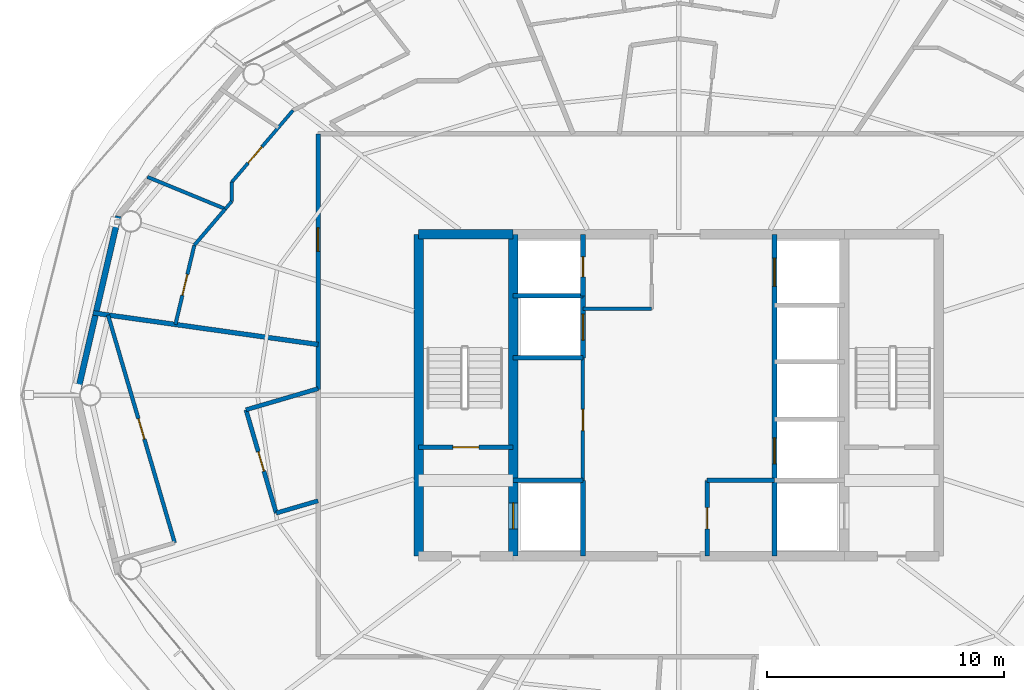
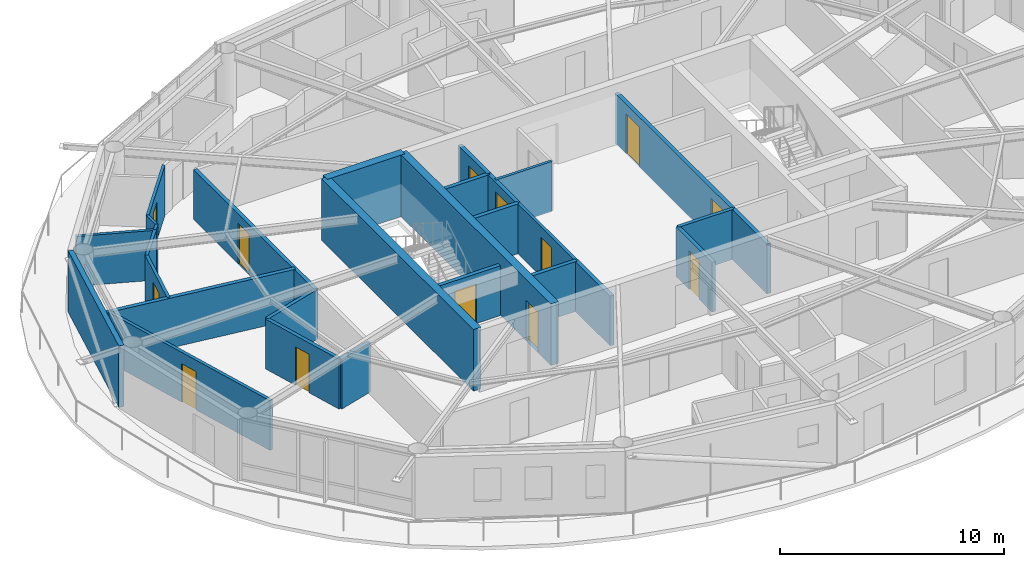
# One storey, part 16 of 23: 29 walls, 13 doors, 13 openings.
"""IFC4 building model written with IfcOpenShell, lengths in metres."""

import ifcopenshell
import ifcopenshell.guid

model = None  # the IFC model being written
_history = None  # IfcOwnerHistory: only IFC2X3 demands one
_inside = {}  # id of a spatial element -> (the spatial element, [elements in it])
_under = {}  # id of a project, library or spatial element -> (it, [spatial elements below it])
_declared = {}  # id of a project -> (the project, [libraries it declares])
_typed = {}  # id of a type object -> (the type object, [elements of that type])
_made_of = {}  # id of a material, layer set ... -> (it, [elements and type objects made of it])


def new_model(schema):
    """Start an empty IFC model of exactly this schema.

    Asked for "IFC4X3", IfcOpenShell would pick the latest addendum, in which some entities
    have other attributes; the version numbers below select the first issue.
    IFC2X3 requires an IfcOwnerHistory on every rooted entity: one is made here for all.
    """
    global model, _history
    if schema == "IFC4X3":
        model = ifcopenshell.file(schema_version=(4, 3, 0, 0))
    else:
        model = ifcopenshell.file(schema=schema)
    _inside.clear()
    _under.clear()
    _declared.clear()
    _typed.clear()
    _made_of.clear()
    _history = None
    if model.schema == "IFC2X3":
        org = make("IfcOrganization", Name="unknown")
        user = make(
            "IfcPersonAndOrganization",
            ThePerson=make("IfcPerson", FamilyName="unknown"),
            TheOrganization=org,
        )
        app = make(
            "IfcApplication",
            ApplicationDeveloper=org,
            Version="unknown",
            ApplicationFullName="unknown",
            ApplicationIdentifier="unknown",
        )
        _history = make(
            "IfcOwnerHistory",
            OwningUser=user,
            OwningApplication=app,
            ChangeAction="ADDED",
            CreationDate=0,
        )
    return model


def make(cls, **values):
    """One entity of the class cls with the attributes given. An attribute that is None is left unset."""
    return model.create_entity(
        cls, **{name: value for name, value in values.items() if value is not None}
    )


def rooted(cls, **values):
    """An entity with a GlobalId (a new one), such as an element, a storey or a relation."""
    return make(cls, GlobalId=ifcopenshell.guid.new(), OwnerHistory=_history, **values)


def si_unit(unit_type, name, prefix=None):
    """IfcSIUnit, for example si_unit("LENGTHUNIT", "METRE", prefix="MILLI")."""
    return make("IfcSIUnit", UnitType=unit_type, Prefix=prefix, Name=name)


def assignment(units):
    """IfcUnitAssignment: the units of a project."""
    return None if units is None else make("IfcUnitAssignment", Units=units)


def point(xyz):
    """IfcCartesianPoint."""
    return None if xyz is None else make("IfcCartesianPoint", Coordinates=xyz)


def direction(xyz):
    """IfcDirection."""
    return None if xyz is None else make("IfcDirection", DirectionRatios=xyz)


def frame(location, z_axis=None, x_axis=None):
    """IfcAxis2Placement3D, a coordinate frame: its origin and axes. An axis left out is left unset."""
    return make(
        "IfcAxis2Placement3D",
        Location=point(location),
        Axis=direction(z_axis),
        RefDirection=direction(x_axis),
    )


def frame_2d(location, x_axis=None):
    """IfcAxis2Placement2D, a coordinate frame in the plane: its origin and x axis."""
    return make(
        "IfcAxis2Placement2D", Location=point(location), RefDirection=direction(x_axis)
    )


def origin():
    """The frame at (0, 0, 0) with its axes left unset."""
    return frame((0.0, 0.0, 0.0))


def place(relative_to, where):
    """IfcLocalPlacement: puts the frame where relative to a parent placement (None: the world)."""
    return make(
        "IfcLocalPlacement", PlacementRelTo=relative_to, RelativePlacement=where
    )


def context(
    kind, dimensions, precision=None, world=None, true_north=None, identifier=None
):
    """IfcGeometricRepresentationContext, for example the 3D "Model" context."""
    return make(
        "IfcGeometricRepresentationContext",
        ContextIdentifier=identifier,
        ContextType=kind,
        CoordinateSpaceDimension=dimensions,
        Precision=precision,
        WorldCoordinateSystem=world,
        TrueNorth=true_north,
    )


def subcontext(parent, identifier, kind, view, scale=None):
    """IfcGeometricRepresentationSubContext, for example "Body" below "Model"."""
    return make(
        "IfcGeometricRepresentationSubContext",
        ContextIdentifier=identifier,
        ContextType=kind,
        ParentContext=parent,
        TargetScale=scale,
        TargetView=view,
    )


def project(units=None, contexts=None):
    """IfcProject with its units and contexts."""
    return rooted(
        "IfcProject",
        Name="project",
        RepresentationContexts=contexts,
        UnitsInContext=assignment(units),
    )


def spatial(cls, under=None, at=None, **own):
    """A site, building, storey or space (cls), placed at a placement, below another one or the project."""
    s = rooted(cls, ObjectPlacement=at, **own)
    if under is not None:
        _under.setdefault(under.id(), (under, []))[1].append(s)
    return s


def profile(cls, at=None, kind="AREA", **sizes):
    """A parametric profile (cls). Its sizes go by their IFC names, for example OverallWidth=200.0."""
    return make(cls, ProfileType=kind, Position=at, **sizes)


def rectangle(**sizes):
    """IfcRectangleProfileDef."""
    return profile("IfcRectangleProfileDef", **sizes)


def extrude(swept, where, along, depth):
    """IfcExtrudedAreaSolid: the profile swept, set in the frame where, extruded along a direction by depth."""
    return make(
        "IfcExtrudedAreaSolid",
        SweptArea=swept,
        Position=where,
        ExtrudedDirection=direction(along),
        Depth=depth,
    )


def shape(context_of_items, identifier, shape_type, items):
    """IfcShapeRepresentation: the items that make up one representation, for example the "Body"."""
    return make(
        "IfcShapeRepresentation",
        ContextOfItems=context_of_items,
        RepresentationIdentifier=identifier,
        RepresentationType=shape_type,
        Items=items,
    )


def material(Name=None, Category=None):
    """IfcMaterial."""
    return make("IfcMaterial", Name=Name, Category=Category)


def layer(
    of_material, thickness, ventilated=None, Name=None, Category=None, Priority=None
):
    """IfcMaterialLayer: one layer of a wall or slab, of a material (None: an air gap)."""
    return make(
        "IfcMaterialLayer",
        Material=of_material,
        LayerThickness=thickness,
        IsVentilated=ventilated,
        Name=Name,
        Category=Category,
        Priority=Priority,
    )


def layer_set(layers, Name=None):
    """IfcMaterialLayerSet."""
    return make("IfcMaterialLayerSet", MaterialLayers=layers, LayerSetName=Name)


def made_of(thing, what):
    """Note that an element or type object is made of a material, layer set ...; save() writes the relation."""
    if what is not None:
        _made_of.setdefault(what.id(), (what, []))[1].append(thing)
    return thing


def type_object(cls, material=None, **own):
    """A type object (cls), such as IfcWallType, which elements share."""
    return made_of(rooted(cls, **own), material)


def element(
    cls,
    number,
    at=None,
    inside=None,
    cuts=None,
    type_object=None,
    material=None,
    context=None,
    identifier="Body",
    shape_type=None,
    held_by="IfcProductDefinitionShape",
    body=None,
    shapes=None,
    **own,
):
    """One element of the class cls, such as IfcWall. Its Tag is "e" and its number.

    at: its placement. inside: the storey or other place that contains it. cuts: it is an
    opening in that element (IfcRelVoidsElement). A single representation is given by context,
    identifier, shape_type and body (its items); several are given by shapes. held_by: the class
    of the entity that holds the representations. save() writes the other relations.
    """
    e = rooted(cls, Tag="e%d" % number, ObjectPlacement=at, **own)
    if body is not None:
        shapes = [shape(context, identifier, shape_type, body)]
    if shapes is not None:
        e.Representation = make(held_by, Representations=shapes)
    if inside is not None:
        _inside.setdefault(inside.id(), (inside, []))[1].append(e)
    if cuts is not None:
        rooted(
            "IfcRelVoidsElement", RelatingBuildingElement=cuts, RelatedOpeningElement=e
        )
    if type_object is not None:
        _typed.setdefault(type_object.id(), (type_object, []))[1].append(e)
    return made_of(e, material)


def fill(opening, filler):
    """IfcRelFillsElement: the door or window that sits in an opening."""
    return rooted(
        "IfcRelFillsElement",
        RelatingOpeningElement=opening,
        RelatedBuildingElement=filler,
    )


def aggregate(whole, parts):
    """IfcRelAggregates: a whole, such as a stair, and the parts it consists of."""
    return rooted("IfcRelAggregates", RelatingObject=whole, RelatedObjects=parts)


def save(model, path):
    """Write the relations noted so far, then the file.

    IfcRelAggregates (storeys below a building ...), IfcRelContainedInSpatialStructure (elements
    in a storey), IfcRelDefinesByType, IfcRelAssociatesMaterial and IfcRelDeclares: one each for
    every whole, place, type object, material and project.
    """
    for whole, parts in _under.values():
        aggregate(whole, parts)
    for where, things in _inside.values():
        rooted(
            "IfcRelContainedInSpatialStructure",
            RelatedElements=things,
            RelatingStructure=where,
        )
    for kind, things in _typed.values():
        rooted("IfcRelDefinesByType", RelatedObjects=things, RelatingType=kind)
    for what, things in _made_of.values():
        rooted("IfcRelAssociatesMaterial", RelatedObjects=things, RelatingMaterial=what)
    for by, libraries in _declared.values():
        rooted("IfcRelDeclares", RelatingContext=by, RelatedDefinitions=libraries)
    model.write(path)


model = new_model("IFC4")

# Units and contexts
model_context = context("Model", 3, precision=1e-05, world=origin(), true_north=direction((0.0, 1.0)))
body_context = subcontext(model_context, "Body", "Model", "MODEL_VIEW")
ifc_project = project(units=[si_unit("LENGTHUNIT", "METRE"), si_unit("AREAUNIT", "SQUARE_METRE"), si_unit("VOLUMEUNIT", "CUBIC_METRE"), si_unit("PLANEANGLEUNIT", "RADIAN"), si_unit("MASSUNIT", "GRAM", prefix="KILO")], contexts=[model_context])

# Site, building, storey
site_placement = place(None, origin())
site = spatial("IfcSite", under=ifc_project, at=site_placement, CompositionType="ELEMENT")
building_placement = place(site_placement, origin())
building = spatial("IfcBuilding", under=site, at=building_placement, Name="Sarneth Arch Tower", CompositionType="ELEMENT")
storey_placement = place(building_placement, frame((0.0, 0.0, 231.60009765625)))
storey = spatial("IfcBuildingStorey", under=building, at=storey_placement, Name="L59", CompositionType="ELEMENT", Elevation=231.60009765625)

# Walls
ifc_material_1 = material(Name="Concrete C50/60", Category="concrete")
ifc_layer_1 = layer(ifc_material_1, 0.39990234375)
ifc_layer_set_1 = layer_set([ifc_layer_1], Name="Concrete C50/60")
wall_type_1 = type_object("IfcWallType", Name="WALL-CORE-400", PredefinedType="SHEAR", material=ifc_layer_set_1)
wall_1_placement = place(storey_placement, frame((37.0, 48.800048828125, 0.0), z_axis=(0.0, 0.0, 1.0), x_axis=(1.0, 0.0, 0.0)))
element("IfcWall", 1, at=wall_1_placement, inside=storey, type_object=wall_type_1, Name="L59 Core shear wall N-W", PredefinedType="SHEAR", context=body_context, shape_type="SweptSolid", body=[
    extrude(rectangle(XDim=4.0, YDim=0.39990234375, at=frame_2d((2.0, 0.0))), origin(), (0.0, 0.0, 1.0), 3.35986328125),
])
wall_2_placement = place(storey_placement, frame((37.0, 35.199951171875, 0.0), z_axis=(0.0, 0.0, 1.0), x_axis=(0.0, 1.0, 0.0)))
element("IfcWall", 2, at=wall_2_placement, inside=storey, type_object=wall_type_1, Name="L59 Core shear wall W", PredefinedType="SHEAR", context=body_context, shape_type="SweptSolid", body=[
    extrude(rectangle(XDim=13.60009765625, YDim=0.39990234375, at=frame_2d((6.800048828125, 0.0))), origin(), (0.0, 0.0, 1.0), 3.35986328125),
])

# Wall, opening, door
wall_3_placement = place(storey_placement, frame((41.0, 35.199951171875, 0.0), z_axis=(0.0, 0.0, 1.0), x_axis=(0.0, 1.0, 0.0)))
wall_3 = element("IfcWall", 3, at=wall_3_placement, inside=storey, type_object=wall_type_1, Name="L59 Core shear wall WEB-W", PredefinedType="SHEAR", context=body_context, shape_type="SweptSolid", body=[
    extrude(rectangle(XDim=13.60009765625, YDim=0.39990234375, at=frame_2d((6.800048828125, 0.0))), origin(), (0.0, 0.0, 1.0), 3.35986328125),
])
opening_1_placement = place(wall_3_placement, frame((1.14990234375, 0.0, 0.0)))
opening_1 = element("IfcOpeningElement", 4, at=opening_1_placement, cuts=wall_3, Name="Opening LD-1", PredefinedType="OPENING", context=body_context, shape_type="SweptSolid", body=[
    extrude(rectangle(XDim=1.10009765625, YDim=2.199951171875, at=frame_2d((0.550048828125, 1.10009765625))), frame((0.0, 0.2099609375, 0.0), z_axis=(0.0, -1.0, 0.0), x_axis=(1.0, 0.0, 0.0)), (0.0, 0.0, 1.0), 0.419921875),
])
ifc_material_2 = material(Name="Brushed Stainless Steel 304 lift landing door", Category="steel")
door_type_1 = type_object("IfcDoorType", Name="DR-LIFT-SLIDE-1100", OperationType="SLIDING_TO_LEFT", PredefinedType="DOOR", material=ifc_material_2)
door_1_placement = place(opening_1_placement, origin())
door_1 = element("IfcDoor", 5, at=door_1_placement, inside=storey, type_object=door_type_1, Name="L59 Firefighting lift landing door FL-1", OperationType="SLIDING_TO_LEFT", OverallHeight=2.199951171875, OverallWidth=1.10009765625, PredefinedType="DOOR", context=body_context, shape_type="SweptSolid", body=[
    extrude(rectangle(XDim=1.10009765625, YDim=2.199951171875, at=frame_2d((0.550048828125, 1.10009765625))), frame((0.0, 0.02490234375, 0.0), z_axis=(0.0, -1.0, 0.0), x_axis=(1.0, 0.0, 0.0)), (0.0, 0.0, 1.0), 0.050048828125),
])
fill(opening_1, door_1)

ifc_material_3 = material(Name="Double steel-stud corridor fire wall", Category="steel")
ifc_layer_2 = layer(ifc_material_3, 0.18994140625)
ifc_layer_set_2 = layer_set([ifc_layer_2], Name="Double steel-stud corridor fire wall")
wall_type_2 = type_object("IfcWallType", Name="WALL-CORR-190", PredefinedType="PARTITIONING", material=ifc_layer_set_2)
wall_4_placement = place(storey_placement, frame((32.75, 42.242919921875, 0.0), z_axis=(0.0, 0.0, 1.0), x_axis=(0.0, 1.0, 0.0)))
wall_4 = element("IfcWall", 6, at=wall_4_placement, inside=storey, type_object=wall_type_2, Name="L59 Interior partition W-L59-TP-007", PredefinedType="PARTITIONING", context=body_context, shape_type="SweptSolid", body=[
    extrude(rectangle(XDim=10.80712890625, YDim=0.18994140625, at=frame_2d((5.403564453125, 0.0))), origin(), (0.0, 0.0, 1.0), 2.719970703125),
])
opening_2_placement = place(wall_4_placement, frame((5.83740234375, 0.0, 0.0)))
opening_2 = element("IfcOpeningElement", 7, at=opening_2_placement, cuts=wall_4, Name="Opening FD-08", PredefinedType="OPENING", context=body_context, shape_type="SweptSolid", body=[
    extrude(rectangle(XDim=1.0, YDim=2.199951171875, at=frame_2d((0.5, 1.10009765625))), frame((0.0, 0.10498046875, 0.0), z_axis=(0.0, -1.0, 0.0), x_axis=(1.0, 0.0, 0.0)), (0.0, 0.0, 1.0), 0.2099609375),
])
ifc_material_4 = material(Name="Hardwood timber acoustic fire door", Category="wood")
door_type_2 = type_object("IfcDoorType", Name="DR-FD60-1000", OperationType="SINGLE_SWING_LEFT", PredefinedType="DOOR", material=ifc_material_4)
door_2_placement = place(opening_2_placement, origin())
door_2 = element("IfcDoor", 8, at=door_2_placement, inside=storey, type_object=door_type_2, Name="L59 Interior door DR-L59-U3-ENT", OperationType="SINGLE_SWING_LEFT", OverallHeight=2.199951171875, OverallWidth=1.0, PredefinedType="DOOR", context=body_context, shape_type="SweptSolid", body=[
    extrude(rectangle(XDim=1.0, YDim=2.199951171875, at=frame_2d((0.5, 1.10009765625))), frame((0.0, 0.02490234375, 0.0), z_axis=(0.0, -1.0, 0.0), x_axis=(1.0, 0.0, 0.0)), (0.0, 0.0, 1.0), 0.050048828125),
])
fill(opening_2, door_2)

# Wall
ifc_material_5 = material(Name="Extruded terracotta rainscreen on Concrete C40/50 backing", Category="masonry")
ifc_layer_3 = layer(ifc_material_5, 0.25)
ifc_layer_set_3 = layer_set([ifc_layer_3], Name="Extruded terracotta rainscreen on Concrete C40/50 backing")
wall_type_3 = type_object("IfcWallType", Name="WALL-EXT-SPAND-250", PredefinedType="SOLIDWALL", material=ifc_layer_set_3)
wall_5_placement = place(storey_placement, frame((24.30615234375, 49.569580078125, 0.0), z_axis=(0.0, 0.0, 1.0), x_axis=(-0.225635078214, -0.974211892495, 0.0)))
element("IfcWall", 9, at=wall_5_placement, inside=storey, type_object=wall_type_3, Name="L59 Terracotta perimeter wall 08", PredefinedType="SOLIDWALL", context=body_context, shape_type="SweptSolid", body=[
    extrude(rectangle(XDim=7.77001953125, YDim=0.25, at=frame_2d((3.885009765625, 0.0))), origin(), (0.0, 0.0, 1.0), 3.35986328125),
])

# Wall, opening, door
ifc_material_6 = material(Name="Apartment internal stud partition", Category="gypsum")
ifc_layer_4 = layer(ifc_material_6, 0.139892578125)
ifc_layer_set_4 = layer_set([ifc_layer_4], Name="Apartment internal stud partition")
wall_type_4 = type_object("IfcWallType", Name="WALL-PART-140", PredefinedType="PARTITIONING", material=ifc_layer_set_4)
wall_6_placement = place(storey_placement, frame((31.68896484375, 54.0419921875, 0.0), z_axis=(0.0, 0.0, 1.0), x_axis=(-0.648985159088, -0.760801066826, 0.0)))
wall_6 = element("IfcWall", 10, at=wall_6_placement, inside=storey, type_object=wall_type_4, Name="L59 Interior partition W-L59-TP-063", PredefinedType="PARTITIONING", context=body_context, shape_type="SweptSolid", body=[
    extrude(rectangle(XDim=3.989013671875, YDim=0.139892578125, at=frame_2d((1.99462890625, 0.0))), origin(), (0.0, 0.0, 1.0), 2.719970703125),
])
opening_3_placement = place(wall_6_placement, frame((2.023193359375, 0.0, 0.0)))
opening_3 = element("IfcOpeningElement", 11, at=opening_3_placement, cuts=wall_6, Name="Opening ID-01", PredefinedType="OPENING", context=body_context, shape_type="SweptSolid", body=[
    extrude(rectangle(XDim=0.89990234375, YDim=2.10009765625, at=frame_2d((0.449951171875, 1.050048828125))), frame((0.0, 0.079833984375, 0.0), z_axis=(0.0, -1.0, 0.0), x_axis=(1.0, 0.0, 0.0)), (0.0, 0.0, 1.0), 0.159912109375),
])
ifc_material_7 = material(Name="Engineered hardwood flush door", Category="wood")
door_type_3 = type_object("IfcDoorType", Name="DR-INT-900", OperationType="SINGLE_SWING_LEFT", PredefinedType="DOOR", material=ifc_material_7)
door_3_placement = place(opening_3_placement, origin())
door_3 = element("IfcDoor", 12, at=door_3_placement, inside=storey, type_object=door_type_3, Name="L59 Interior door DR-L59-U3-BED1", OperationType="SINGLE_SWING_LEFT", OverallHeight=2.10009765625, OverallWidth=0.89990234375, PredefinedType="DOOR", context=body_context, shape_type="SweptSolid", body=[
    extrude(rectangle(XDim=0.89990234375, YDim=2.10009765625, at=frame_2d((0.449951171875, 1.050048828125))), frame((0.0, 0.02490234375, 0.0), z_axis=(0.0, -1.0, 0.0), x_axis=(1.0, 0.0, 0.0)), (0.0, 0.0, 1.0), 0.050048828125),
])
fill(opening_3, door_3)

# Walls
wall_7_placement = place(storey_placement, frame((29.10009765625, 51.007080078125, 0.0), z_axis=(0.0, 0.0, 1.0), x_axis=(0.0, -1.0, 0.0)))
element("IfcWall", 13, at=wall_7_placement, inside=storey, type_object=wall_type_4, Name="L59 Interior partition W-L59-TP-064", PredefinedType="PARTITIONING", context=body_context, shape_type="SweptSolid", body=[
    extrude(rectangle(XDim=0.81005859375, YDim=0.139892578125, at=frame_2d((0.405029296875, 0.0))), origin(), (0.0, 0.0, 1.0), 2.719970703125),
])
wall_8_placement = place(storey_placement, frame((29.10009765625, 50.197021484375, 0.0), z_axis=(0.0, 0.0, 1.0), x_axis=(-0.649360360175, -0.760480849617, 0.0)))
element("IfcWall", 14, at=wall_8_placement, inside=storey, type_object=wall_type_4, Name="L59 Interior partition W-L59-TP-065", PredefinedType="PARTITIONING", context=body_context, shape_type="SweptSolid", body=[
    extrude(rectangle(XDim=0.421875, YDim=0.139892578125, at=frame_2d((0.2109375, 0.0))), origin(), (0.0, 0.0, 1.0), 2.719970703125),
])

# Wall, opening, door
ifc_material_8 = material(Name="Acoustic gypsum stud partition", Category="gypsum")
ifc_layer_5 = layer(ifc_material_8, 0.14990234375)
ifc_layer_set_5 = layer_set([ifc_layer_5], Name="Acoustic gypsum stud partition")
wall_type_5 = type_object("IfcWallType", Name="WALL-PART-150", PredefinedType="PARTITIONING", material=ifc_layer_set_5)
wall_9_placement = place(storey_placement, frame((43.949951171875, 38.39990234375, 0.0), z_axis=(0.0, 0.0, 1.0), x_axis=(0.0, 1.0, 0.0)))
wall_9 = element("IfcWall", 15, at=wall_9_placement, inside=storey, type_object=wall_type_5, Name="L59 Interior partition W-L59-RECPL-E", PredefinedType="PARTITIONING", context=body_context, shape_type="SweptSolid", body=[
    extrude(rectangle(XDim=5.18017578125, YDim=0.14990234375, at=frame_2d((2.590087890625, 0.0))), origin(), (0.0, 0.0, 1.0), 2.719970703125),
])
opening_4_placement = place(wall_9_placement, frame((2.10009765625, 0.0, 0.0)))
opening_4 = element("IfcOpeningElement", 16, at=opening_4_placement, cuts=wall_9, Name="Opening FD-10", PredefinedType="OPENING", context=body_context, shape_type="SweptSolid", body=[
    extrude(rectangle(XDim=0.89990234375, YDim=2.14990234375, at=frame_2d((0.449951171875, 1.074951171875))), frame((0.0, 0.0849609375, 0.0), z_axis=(0.0, -1.0, 0.0), x_axis=(1.0, 0.0, 0.0)), (0.0, 0.0, 1.0), 0.169921875),
])
ifc_material_9 = material(Name="Galvanised Steel S275 riser/service fire door", Category="steel")
door_type_4 = type_object("IfcDoorType", Name="DR-FD60-900", OperationType="SINGLE_SWING_LEFT", PredefinedType="DOOR", material=ifc_material_9)
door_4_placement = place(opening_4_placement, origin())
door_4 = element("IfcDoor", 17, at=door_4_placement, inside=storey, type_object=door_type_4, Name="L59 Interior door DR-L59-RECPL1", OperationType="SINGLE_SWING_LEFT", OverallHeight=2.14990234375, OverallWidth=0.89990234375, PredefinedType="DOOR", context=body_context, shape_type="SweptSolid", body=[
    extrude(rectangle(XDim=0.89990234375, YDim=2.14990234375, at=frame_2d((0.449951171875, 1.074951171875))), frame((0.0, 0.02490234375, 0.0), z_axis=(0.0, -1.0, 0.0), x_axis=(1.0, 0.0, 0.0)), (0.0, 0.0, 1.0), 0.050048828125),
])
fill(opening_4, door_4)

# Walls
wall_10_placement = place(storey_placement, frame((43.949951171875, 45.64990234375, 0.0), z_axis=(0.0, 0.0, 1.0), x_axis=(1.0, 0.0, 0.0)))
element("IfcWall", 18, at=wall_10_placement, inside=storey, type_object=wall_type_5, Name="L59 Interior partition W-L59-CSUP1-S", PredefinedType="PARTITIONING", context=body_context, shape_type="SweptSolid", body=[
    extrude(rectangle(XDim=2.900146484375, YDim=0.14990234375, at=frame_2d((1.4501953125, 0.0))), origin(), (0.0, 0.0, 1.0), 2.719970703125),
])
wall_11_placement = place(storey_placement, frame((25.531494140625, 51.2294921875, 0.0), z_axis=(0.0, 0.0, 1.0), x_axis=(0.925009924445, -0.37994294266, 0.0)))
element("IfcWall", 19, at=wall_11_placement, inside=storey, type_object=wall_type_5, Name="L59 Interior partition W-L59-TP-071", PredefinedType="PARTITIONING", context=body_context, shape_type="SweptSolid", body=[
    extrude(rectangle(XDim=3.561767578125, YDim=0.14990234375, at=frame_2d((1.78076171875, 0.0))), origin(), (0.0, 0.0, 1.0), 2.719970703125),
])

# Wall, opening, door
wall_12_placement = place(storey_placement, frame((27.51904296875, 48.344970703125, 0.0), z_axis=(0.0, 0.0, 1.0), x_axis=(-0.232293676314, -0.97264569497, 0.0)))
wall_12 = element("IfcWall", 20, at=wall_12_placement, inside=storey, type_object=wall_type_5, Name="L59 Interior partition W-L59-TP-067", PredefinedType="PARTITIONING", context=body_context, shape_type="SweptSolid", body=[
    extrude(rectangle(XDim=3.4482421875, YDim=0.14990234375, at=frame_2d((1.72412109375, 0.0))), origin(), (0.0, 0.0, 1.0), 2.719970703125),
])
opening_5_placement = place(wall_12_placement, frame((1.274169921875, 0.0, 0.0)))
opening_5 = element("IfcOpeningElement", 21, at=opening_5_placement, cuts=wall_12, Name="Opening ID-01", PredefinedType="OPENING", context=body_context, shape_type="SweptSolid", body=[
    extrude(rectangle(XDim=0.89990234375, YDim=2.10009765625, at=frame_2d((0.449951171875, 1.050048828125))), frame((0.0, 0.0849609375, 0.0), z_axis=(0.0, -1.0, 0.0), x_axis=(1.0, 0.0, 0.0)), (0.0, 0.0, 1.0), 0.169921875),
])
door_5_placement = place(opening_5_placement, origin())
door_5 = element("IfcDoor", 22, at=door_5_placement, inside=storey, type_object=door_type_3, Name="L59 Interior door DR-L59-U3-BED2", OperationType="SINGLE_SWING_RIGHT", OverallHeight=2.10009765625, OverallWidth=0.89990234375, PredefinedType="DOOR", context=body_context, shape_type="SweptSolid", body=[
    extrude(rectangle(XDim=0.89990234375, YDim=2.10009765625, at=frame_2d((0.449951171875, 1.050048828125))), frame((0.0, 0.02490234375, 0.0), z_axis=(0.0, -1.0, 0.0), x_axis=(1.0, 0.0, 0.0)), (0.0, 0.0, 1.0), 0.050048828125),
])
fill(opening_5, door_5)

# Wall
wall_13_placement = place(storey_placement, frame((28.826171875, 49.876220703125, 0.0), z_axis=(0.0, 0.0, 1.0), x_axis=(-0.649252114502, -0.760573265251, 0.0)))
element("IfcWall", 23, at=wall_13_placement, inside=storey, type_object=wall_type_5, Name="L59 Interior partition W-L59-TP-066", PredefinedType="PARTITIONING", context=body_context, shape_type="SweptSolid", body=[
    extrude(rectangle(XDim=2.01318359375, YDim=0.14990234375, at=frame_2d((1.006591796875, 0.0))), origin(), (0.0, 0.0, 1.0), 2.719970703125),
])

# Wall, opening, door
ifc_material_10 = material(Name="Kitchen wet service chase wall", Category="gypsum")
ifc_layer_6 = layer(ifc_material_10, 0.159912109375)
ifc_layer_set_6 = layer_set([ifc_layer_6], Name="Kitchen wet service chase wall")
wall_type_6 = type_object("IfcWallType", Name="WALL-PLUMB-160", PredefinedType="PLUMBINGWALL", material=ifc_layer_set_6)
wall_14_placement = place(storey_placement, frame((23.867919921875, 45.3916015625, 0.0), z_axis=(0.0, 0.0, 1.0), x_axis=(0.281018983641, -0.959702209455, 0.0)))
wall_14 = element("IfcWall", 24, at=wall_14_placement, inside=storey, type_object=wall_type_6, Name="L59 Interior partition W-L59-TP-077", PredefinedType="PLUMBINGWALL", context=body_context, shape_type="SweptSolid", body=[
    extrude(rectangle(XDim=10.0361328125, YDim=0.159912109375, at=frame_2d((5.01806640625, 0.0))), origin(), (0.0, 0.0, 1.0), 2.719970703125),
])
opening_6_placement = place(wall_14_placement, frame((4.568115234375, 0.0, 0.0)))
opening_6 = element("IfcOpeningElement", 25, at=opening_6_placement, cuts=wall_14, Name="Opening ID-01", PredefinedType="OPENING", context=body_context, shape_type="SweptSolid", body=[
    extrude(rectangle(XDim=0.89990234375, YDim=2.10009765625, at=frame_2d((0.449951171875, 1.050048828125))), frame((0.0, 0.08984375, 0.0), z_axis=(0.0, -1.0, 0.0), x_axis=(1.0, 0.0, 0.0)), (0.0, 0.0, 1.0), 0.179931640625),
])
door_6_placement = place(opening_6_placement, origin())
door_6 = element("IfcDoor", 26, at=door_6_placement, inside=storey, type_object=door_type_3, Name="L59 Interior door DR-L59-U4-KIT", OperationType="SINGLE_SWING_LEFT", OverallHeight=2.10009765625, OverallWidth=0.89990234375, PredefinedType="DOOR", context=body_context, shape_type="SweptSolid", body=[
    extrude(rectangle(XDim=0.89990234375, YDim=2.10009765625, at=frame_2d((0.449951171875, 1.050048828125))), frame((0.0, 0.02490234375, 0.0), z_axis=(0.0, -1.0, 0.0), x_axis=(1.0, 0.0, 0.0)), (0.0, 0.0, 1.0), 0.050048828125),
])
fill(opening_6, door_6)

# Wall
ifc_material_11 = material(Name="Moisture-resistant plumbing chase wall", Category="gypsum")
ifc_layer_7 = layer(ifc_material_11, 0.179931640625)
ifc_layer_set_7 = layer_set([ifc_layer_7], Name="Moisture-resistant plumbing chase wall")
wall_type_7 = type_object("IfcWallType", Name="WALL-PLUMB-180", PredefinedType="PLUMBINGWALL", material=ifc_layer_set_7)
wall_15_placement = place(storey_placement, frame((49.199951171875, 38.39990234375, 0.0), z_axis=(0.0, 0.0, 1.0), x_axis=(1.0, 0.0, 0.0)))
element("IfcWall", 27, at=wall_15_placement, inside=storey, type_object=wall_type_7, Name="L59 Interior partition W-L59-AWC-N", PredefinedType="PLUMBINGWALL", context=body_context, shape_type="SweptSolid", body=[
    extrude(rectangle(XDim=2.85009765625, YDim=0.179931640625, at=frame_2d((1.425048828125, 0.0))), origin(), (0.0, 0.0, 1.0), 2.719970703125),
])

# Wall, opening, door
wall_16_placement = place(storey_placement, frame((49.199951171875, 35.199951171875, 0.0), z_axis=(0.0, 0.0, 1.0), x_axis=(0.0, 1.0, 0.0)))
wall_16 = element("IfcWall", 28, at=wall_16_placement, inside=storey, type_object=wall_type_7, Name="L59 Interior partition W-L59-AWC-W", PredefinedType="PLUMBINGWALL", context=body_context, shape_type="SweptSolid", body=[
    extrude(rectangle(XDim=3.199951171875, YDim=0.179931640625, at=frame_2d((1.60009765625, 0.0))), origin(), (0.0, 0.0, 1.0), 2.719970703125),
])
opening_7_placement = place(wall_16_placement, frame((1.14990234375, 0.0, 0.0)))
opening_7 = element("IfcOpeningElement", 29, at=opening_7_placement, cuts=wall_16, Name="Opening ID-01", PredefinedType="OPENING", context=body_context, shape_type="SweptSolid", body=[
    extrude(rectangle(XDim=0.89990234375, YDim=2.10009765625, at=frame_2d((0.449951171875, 1.050048828125))), frame((0.0, 0.099853515625, 0.0), z_axis=(0.0, -1.0, 0.0), x_axis=(1.0, 0.0, 0.0)), (0.0, 0.0, 1.0), 0.199951171875),
])
door_7_placement = place(opening_7_placement, origin())
door_7 = element("IfcDoor", 30, at=door_7_placement, inside=storey, type_object=door_type_3, Name="L59 Interior door DR-L59-AWC", OperationType="SINGLE_SWING_RIGHT", OverallHeight=2.10009765625, OverallWidth=0.89990234375, PredefinedType="DOOR", context=body_context, shape_type="SweptSolid", body=[
    extrude(rectangle(XDim=0.89990234375, YDim=2.10009765625, at=frame_2d((0.449951171875, 1.050048828125))), frame((0.0, 0.02490234375, 0.0), z_axis=(0.0, -1.0, 0.0), x_axis=(1.0, 0.0, 0.0)), (0.0, 0.0, 1.0), 0.050048828125),
])
fill(opening_7, door_7)

wall_17_placement = place(storey_placement, frame((30.98046875, 37.0166015625, 0.0), z_axis=(0.0, 0.0, 1.0), x_axis=(-0.281021691617, 0.959701416504, 0.0)))
wall_17 = element("IfcWall", 31, at=wall_17_placement, inside=storey, type_object=wall_type_7, Name="L59 Interior partition W-L59-TP-075", PredefinedType="PLUMBINGWALL", context=body_context, shape_type="SweptSolid", body=[
    extrude(rectangle(XDim=4.550537109375, YDim=0.179931640625, at=frame_2d((2.275390625, 0.0))), origin(), (0.0, 0.0, 1.0), 2.719970703125),
])
opening_8_placement = place(wall_17_placement, frame((1.85009765625, 0.0, 0.0)))
opening_8 = element("IfcOpeningElement", 32, at=opening_8_placement, cuts=wall_17, Name="Opening ID-02", PredefinedType="OPENING", context=body_context, shape_type="SweptSolid", body=[
    extrude(rectangle(XDim=0.85009765625, YDim=2.10009765625, at=frame_2d((0.425048828125, 1.050048828125))), frame((0.0, 0.099853515625, 0.0), z_axis=(0.0, -1.0, 0.0), x_axis=(1.0, 0.0, 0.0)), (0.0, 0.0, 1.0), 0.199951171875),
])
ifc_material_12 = material(Name="Moisture-resistant bathroom timber door", Category="wood")
door_type_5 = type_object("IfcDoorType", Name="DR-INT-850", OperationType="SINGLE_SWING_RIGHT", PredefinedType="DOOR", material=ifc_material_12)
door_8_placement = place(opening_8_placement, origin())
door_8 = element("IfcDoor", 33, at=door_8_placement, inside=storey, type_object=door_type_5, Name="L59 Interior door DR-L59-U4-BATH", OperationType="SINGLE_SWING_RIGHT", OverallHeight=2.10009765625, OverallWidth=0.85009765625, PredefinedType="DOOR", context=body_context, shape_type="SweptSolid", body=[
    extrude(rectangle(XDim=0.85009765625, YDim=2.10009765625, at=frame_2d((0.425048828125, 1.050048828125))), frame((0.0, 0.02490234375, 0.0), z_axis=(0.0, -1.0, 0.0), x_axis=(1.0, 0.0, 0.0)), (0.0, 0.0, 1.0), 0.050048828125),
])
fill(opening_8, door_8)

# Walls
wall_18_placement = place(storey_placement, frame((29.70166015625, 41.3837890625, 0.0), z_axis=(0.0, 0.0, 1.0), x_axis=(0.959705055225, 0.281009264929, 0.0)))
element("IfcWall", 34, at=wall_18_placement, inside=storey, type_object=wall_type_7, Name="L59 Interior partition W-L59-TP-076", PredefinedType="PLUMBINGWALL", context=body_context, shape_type="SweptSolid", body=[
    extrude(rectangle(XDim=3.17626953125, YDim=0.179931640625, at=frame_2d((1.588134765625, 0.0))), origin(), (0.0, 0.0, 1.0), 2.719970703125),
])
wall_19_placement = place(storey_placement, frame((32.75, 37.534912109375, 0.0), z_axis=(0.0, 0.0, 1.0), x_axis=(-0.959679055102, -0.281098045527, 0.0)))
element("IfcWall", 35, at=wall_19_placement, inside=storey, type_object=wall_type_7, Name="L59 Interior partition W-L59-TP-074", PredefinedType="PLUMBINGWALL", context=body_context, shape_type="SweptSolid", body=[
    extrude(rectangle(XDim=1.843994140625, YDim=0.179931640625, at=frame_2d((0.921875, 0.0))), origin(), (0.0, 0.0, 1.0), 2.719970703125),
])

# Wall, opening, door
ifc_material_13 = material(Name="Aerated concrete blockwork C25/30", Category="masonry")
ifc_layer_8 = layer(ifc_material_13, 0.199951171875)
ifc_layer_set_8 = layer_set([ifc_layer_8], Name="Aerated concrete blockwork C25/30")
wall_type_8 = type_object("IfcWallType", Name="WALL-SHAFT-200", PredefinedType="SOLIDWALL", material=ifc_layer_set_8)
wall_20_placement = place(storey_placement, frame((37.0, 39.800048828125, 0.0), z_axis=(0.0, 0.0, 1.0), x_axis=(1.0, 0.0, 0.0)))
wall_20 = element("IfcWall", 36, at=wall_20_placement, inside=storey, type_object=wall_type_8, Name="L59 Interior partition W-L59-ST1-S", PredefinedType="SOLIDWALL", context=body_context, shape_type="SweptSolid", body=[
    extrude(rectangle(XDim=4.0, YDim=0.199951171875, at=frame_2d((2.0, 0.0))), origin(), (0.0, 0.0, 1.0), 2.719970703125),
])
opening_9_placement = place(wall_20_placement, frame((1.449951171875, 0.0, 0.0)))
opening_9 = element("IfcOpeningElement", 37, at=opening_9_placement, cuts=wall_20, Name="Opening FD-03", PredefinedType="OPENING", context=body_context, shape_type="SweptSolid", body=[
    extrude(rectangle(XDim=1.10009765625, YDim=2.14990234375, at=frame_2d((0.550048828125, 1.074951171875))), frame((0.0, 0.10986328125, 0.0), z_axis=(0.0, -1.0, 0.0), x_axis=(1.0, 0.0, 0.0)), (0.0, 0.0, 1.0), 0.219970703125),
])
ifc_material_14 = material(Name="Galvanised Steel S275 fire door set", Category="steel")
door_type_6 = type_object("IfcDoorType", Name="DR-FD90-1100", OperationType="SINGLE_SWING_LEFT", PredefinedType="DOOR", material=ifc_material_14)
door_9_placement = place(opening_9_placement, origin())
door_9 = element("IfcDoor", 38, at=door_9_placement, inside=storey, type_object=door_type_6, Name="L59 Interior door DR-L59-ST1", OperationType="SINGLE_SWING_LEFT", OverallHeight=2.14990234375, OverallWidth=1.10009765625, PredefinedType="DOOR", context=body_context, shape_type="SweptSolid", body=[
    extrude(rectangle(XDim=1.10009765625, YDim=2.14990234375, at=frame_2d((0.550048828125, 1.074951171875))), frame((0.0, 0.02490234375, 0.0), z_axis=(0.0, -1.0, 0.0), x_axis=(1.0, 0.0, 0.0)), (0.0, 0.0, 1.0), 0.050048828125),
])
fill(opening_9, door_9)

# Walls
wall_21_placement = place(storey_placement, frame((43.949951171875, 35.199951171875, 0.0), z_axis=(0.0, 0.0, 1.0), x_axis=(0.0, 1.0, 0.0)))
element("IfcWall", 39, at=wall_21_placement, inside=storey, type_object=wall_type_8, Name="L59 Interior partition W-L59-FL1-E", PredefinedType="SOLIDWALL", context=body_context, shape_type="SweptSolid", body=[
    extrude(rectangle(XDim=3.199951171875, YDim=0.199951171875, at=frame_2d((1.60009765625, 0.0))), origin(), (0.0, 0.0, 1.0), 2.719970703125),
])
wall_22_placement = place(storey_placement, frame((41.0, 38.39990234375, 0.0), z_axis=(0.0, 0.0, 1.0), x_axis=(1.0, 0.0, 0.0)))
element("IfcWall", 40, at=wall_22_placement, inside=storey, type_object=wall_type_8, Name="L59 Interior partition W-L59-FL1-N", PredefinedType="SOLIDWALL", context=body_context, shape_type="SweptSolid", body=[
    extrude(rectangle(XDim=2.949951171875, YDim=0.199951171875, at=frame_2d((1.47509765625, 0.0))), origin(), (0.0, 0.0, 1.0), 2.719970703125),
])
wall_23_placement = place(storey_placement, frame((52.050048828125, 35.199951171875, 0.0), z_axis=(0.0, 0.0, 1.0), x_axis=(0.0, 1.0, 0.0)))
element("IfcWall", 41, at=wall_23_placement, inside=storey, type_object=wall_type_8, Name="L59 Interior partition W-L59-FL2-W", PredefinedType="SOLIDWALL", context=body_context, shape_type="SweptSolid", body=[
    extrude(rectangle(XDim=3.199951171875, YDim=0.199951171875, at=frame_2d((1.60009765625, 0.0))), origin(), (0.0, 0.0, 1.0), 2.719970703125),
])
wall_24_placement = place(storey_placement, frame((41.0, 46.199951171875, 0.0), z_axis=(0.0, 0.0, 1.0), x_axis=(1.0, 0.0, 0.0)))
element("IfcWall", 42, at=wall_24_placement, inside=storey, type_object=wall_type_8, Name="L59 Interior partition W-L59-RISER-S", PredefinedType="SOLIDWALL", context=body_context, shape_type="SweptSolid", body=[
    extrude(rectangle(XDim=2.949951171875, YDim=0.199951171875, at=frame_2d((1.47509765625, 0.0))), origin(), (0.0, 0.0, 1.0), 2.719970703125),
])

# Wall, opening, door
wall_25_placement = place(storey_placement, frame((43.949951171875, 46.199951171875, 0.0), z_axis=(0.0, 0.0, 1.0), x_axis=(0.0, 1.0, 0.0)))
wall_25 = element("IfcWall", 43, at=wall_25_placement, inside=storey, type_object=wall_type_8, Name="L59 Interior partition W-L59-RISER-E", PredefinedType="SOLIDWALL", context=body_context, shape_type="SweptSolid", body=[
    extrude(rectangle(XDim=2.60009765625, YDim=0.199951171875, at=frame_2d((1.300048828125, 0.0))), origin(), (0.0, 0.0, 1.0), 2.719970703125),
])
opening_10_placement = place(wall_25_placement, frame((0.800048828125, 0.0, 0.0)))
opening_10 = element("IfcOpeningElement", 44, at=opening_10_placement, cuts=wall_25, Name="Opening FD-11", PredefinedType="OPENING", context=body_context, shape_type="SweptSolid", body=[
    extrude(rectangle(XDim=0.85009765625, YDim=2.14990234375, at=frame_2d((0.425048828125, 1.074951171875))), frame((0.0, 0.10986328125, 0.0), z_axis=(0.0, -1.0, 0.0), x_axis=(1.0, 0.0, 0.0)), (0.0, 0.0, 1.0), 0.219970703125),
])
ifc_material_15 = material(Name="Galvanised Steel S275 closet fire door", Category="steel")
door_type_7 = type_object("IfcDoorType", Name="DR-FD60-850", OperationType="SINGLE_SWING_LEFT", PredefinedType="DOOR", material=ifc_material_15)
door_10_placement = place(opening_10_placement, origin())
door_10 = element("IfcDoor", 45, at=door_10_placement, inside=storey, type_object=door_type_7, Name="L59 Lift landing door DR-L59-RISER", OperationType="SINGLE_SWING_LEFT", OverallHeight=2.14990234375, OverallWidth=0.85009765625, PredefinedType="DOOR", context=body_context, shape_type="SweptSolid", body=[
    extrude(rectangle(XDim=0.85009765625, YDim=2.14990234375, at=frame_2d((0.425048828125, 1.074951171875))), frame((0.0, 0.02490234375, 0.0), z_axis=(0.0, -1.0, 0.0), x_axis=(1.0, 0.0, 0.0)), (0.0, 0.0, 1.0), 0.050048828125),
])
fill(opening_10, door_10)

# Wall
wall_26_placement = place(storey_placement, frame((41.0, 43.580078125, 0.0), z_axis=(0.0, 0.0, 1.0), x_axis=(1.0, 0.0, 0.0)))
element("IfcWall", 46, at=wall_26_placement, inside=storey, type_object=wall_type_8, Name="L59 Interior partition W-L59-PM1-S", PredefinedType="SOLIDWALL", context=body_context, shape_type="SweptSolid", body=[
    extrude(rectangle(XDim=2.949951171875, YDim=0.199951171875, at=frame_2d((1.47509765625, 0.0))), origin(), (0.0, 0.0, 1.0), 2.719970703125),
])

# Wall, opening, door
wall_27_placement = place(storey_placement, frame((43.949951171875, 43.580078125, 0.0), z_axis=(0.0, 0.0, 1.0), x_axis=(0.0, 1.0, 0.0)))
wall_27 = element("IfcWall", 47, at=wall_27_placement, inside=storey, type_object=wall_type_8, Name="L59 Interior partition W-L59-PM1-FRONT", PredefinedType="SOLIDWALL", context=body_context, shape_type="SweptSolid", body=[
    extrude(rectangle(XDim=2.619873046875, YDim=0.199951171875, at=frame_2d((1.31005859375, 0.0))), origin(), (0.0, 0.0, 1.0), 2.719970703125),
])
opening_11_placement = place(wall_27_placement, frame((0.75, 0.0, 0.0)))
opening_11 = element("IfcOpeningElement", 48, at=opening_11_placement, cuts=wall_27, Name="Opening LD-1", PredefinedType="OPENING", context=body_context, shape_type="SweptSolid", body=[
    extrude(rectangle(XDim=1.10009765625, YDim=2.199951171875, at=frame_2d((0.550048828125, 1.10009765625))), frame((0.0, 0.10986328125, 0.0), z_axis=(0.0, -1.0, 0.0), x_axis=(1.0, 0.0, 0.0)), (0.0, 0.0, 1.0), 0.219970703125),
])
door_11_placement = place(opening_11_placement, origin())
door_11 = element("IfcDoor", 49, at=door_11_placement, inside=storey, type_object=door_type_1, Name="L59 Lift landing door DR-L59-LD-PM1", OperationType="SLIDING_TO_LEFT", OverallHeight=2.199951171875, OverallWidth=1.10009765625, PredefinedType="DOOR", context=body_context, shape_type="SweptSolid", body=[
    extrude(rectangle(XDim=1.10009765625, YDim=2.199951171875, at=frame_2d((0.550048828125, 1.10009765625))), frame((0.0, 0.02490234375, 0.0), z_axis=(0.0, -1.0, 0.0), x_axis=(1.0, 0.0, 0.0)), (0.0, 0.0, 1.0), 0.050048828125),
])
fill(opening_11, door_11)

# Wall, openings, doors
wall_28_placement = place(storey_placement, frame((52.050048828125, 38.39990234375, 0.0), z_axis=(0.0, 0.0, 1.0), x_axis=(0.0, 1.0, 0.0)))
wall_28 = element("IfcWall", 50, at=wall_28_placement, inside=storey, type_object=wall_type_8, Name="L59 Interior partition W-L59-EASTBANK-FRONT", PredefinedType="SOLIDWALL", context=body_context, shape_type="SweptSolid", body=[
    extrude(rectangle(XDim=10.400146484375, YDim=0.199951171875, at=frame_2d((5.2001953125, 0.0))), origin(), (0.0, 0.0, 1.0), 2.719970703125),
])
opening_12_placement = place(wall_28_placement, frame((0.699951171875, 0.0, 0.0)))
opening_12 = element("IfcOpeningElement", 51, at=opening_12_placement, cuts=wall_28, Name="Opening LD-1", PredefinedType="OPENING", context=body_context, shape_type="SweptSolid", body=[
    extrude(rectangle(XDim=1.10009765625, YDim=2.199951171875, at=frame_2d((0.550048828125, 1.10009765625))), frame((0.0, 0.10986328125, 0.0), z_axis=(0.0, -1.0, 0.0), x_axis=(1.0, 0.0, 0.0)), (0.0, 0.0, 1.0), 0.219970703125),
])
opening_13_placement = place(wall_28_placement, frame((8.199951171875, 0.0, 0.0)))
opening_13 = element("IfcOpeningElement", 52, at=opening_13_placement, cuts=wall_28, Name="Opening LD-2", PredefinedType="OPENING", context=body_context, shape_type="SweptSolid", body=[
    extrude(rectangle(XDim=1.199951171875, YDim=2.199951171875, at=frame_2d((0.60009765625, 1.10009765625))), frame((0.0, 0.10986328125, 0.0), z_axis=(0.0, -1.0, 0.0), x_axis=(1.0, 0.0, 0.0)), (0.0, 0.0, 1.0), 0.219970703125),
])
door_12_placement = place(opening_12_placement, origin())
door_12 = element("IfcDoor", 53, at=door_12_placement, inside=storey, type_object=door_type_1, Name="L59 Lift landing door DR-L59-LD-PM2", OperationType="SLIDING_TO_LEFT", OverallHeight=2.199951171875, OverallWidth=1.10009765625, PredefinedType="DOOR", context=body_context, shape_type="SweptSolid", body=[
    extrude(rectangle(XDim=1.10009765625, YDim=2.199951171875, at=frame_2d((0.550048828125, 1.10009765625))), frame((0.0, 0.02490234375, 0.0), z_axis=(0.0, -1.0, 0.0), x_axis=(1.0, 0.0, 0.0)), (0.0, 0.0, 1.0), 0.050048828125),
])
fill(opening_12, door_12)
ifc_material_16 = material(Name="Brushed Stainless Steel 304 service lift door", Category="steel")
door_type_8 = type_object("IfcDoorType", Name="DR-LIFT-SLIDE-1200", OperationType="SLIDING_TO_RIGHT", PredefinedType="DOOR", material=ifc_material_16)
door_13_placement = place(opening_13_placement, origin())
door_13 = element("IfcDoor", 54, at=door_13_placement, inside=storey, type_object=door_type_8, Name="L59 Lift landing door DR-L59-LD-SL1", OperationType="SLIDING_TO_RIGHT", OverallHeight=2.199951171875, OverallWidth=1.199951171875, PredefinedType="DOOR", context=body_context, shape_type="SweptSolid", body=[
    extrude(rectangle(XDim=1.199951171875, YDim=2.199951171875, at=frame_2d((0.60009765625, 1.10009765625))), frame((0.0, 0.02490234375, 0.0), z_axis=(0.0, -1.0, 0.0), x_axis=(1.0, 0.0, 0.0)), (0.0, 0.0, 1.0), 0.050048828125),
])
fill(opening_13, door_13)

# Wall
ifc_material_17 = material(Name="Double steel-stud acoustic drywall", Category="steel")
ifc_layer_9 = layer(ifc_material_17, 0.199951171875)
ifc_layer_set_9 = layer_set([ifc_layer_9], Name="Double steel-stud acoustic drywall")
wall_type_9 = type_object("IfcWallType", Name="WALL-UNIT-200", PredefinedType="PARTITIONING", material=ifc_layer_set_9)
wall_29_placement = place(storey_placement, frame((23.236572265625, 45.480224609375, 0.0), z_axis=(0.0, 0.0, 1.0), x_axis=(0.990269661234, -0.139161769316, 0.0)))
element("IfcWall", 55, at=wall_29_placement, inside=storey, type_object=wall_type_9, Name="L59 Interior partition W-L59-TP-068", PredefinedType="PARTITIONING", context=body_context, shape_type="SweptSolid", body=[
    extrude(rectangle(XDim=9.60693359375, YDim=0.199951171875, at=frame_2d((4.803466796875, 0.0))), origin(), (0.0, 0.0, 1.0), 2.719970703125),
])

save(model, "model.ifc")
